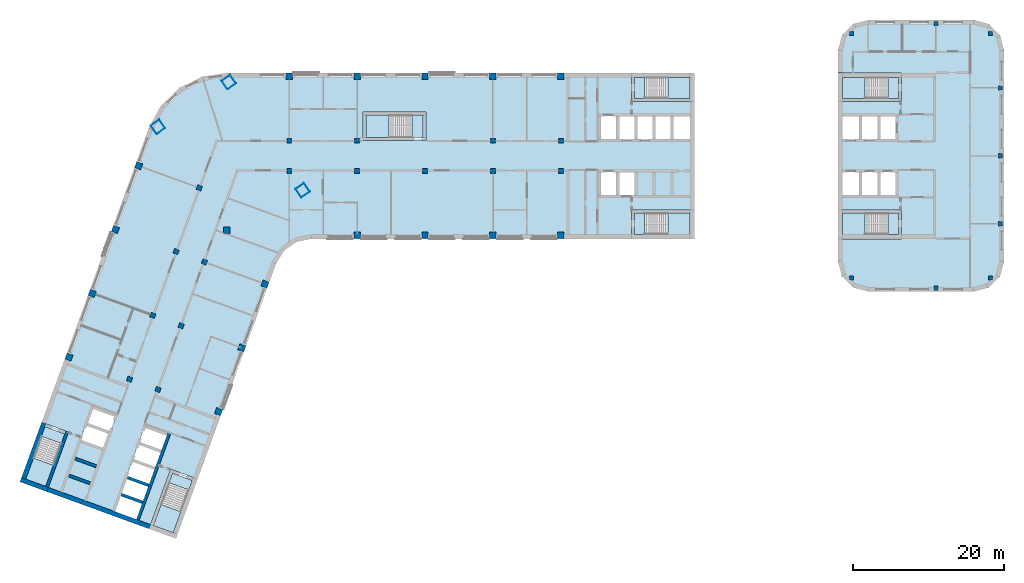
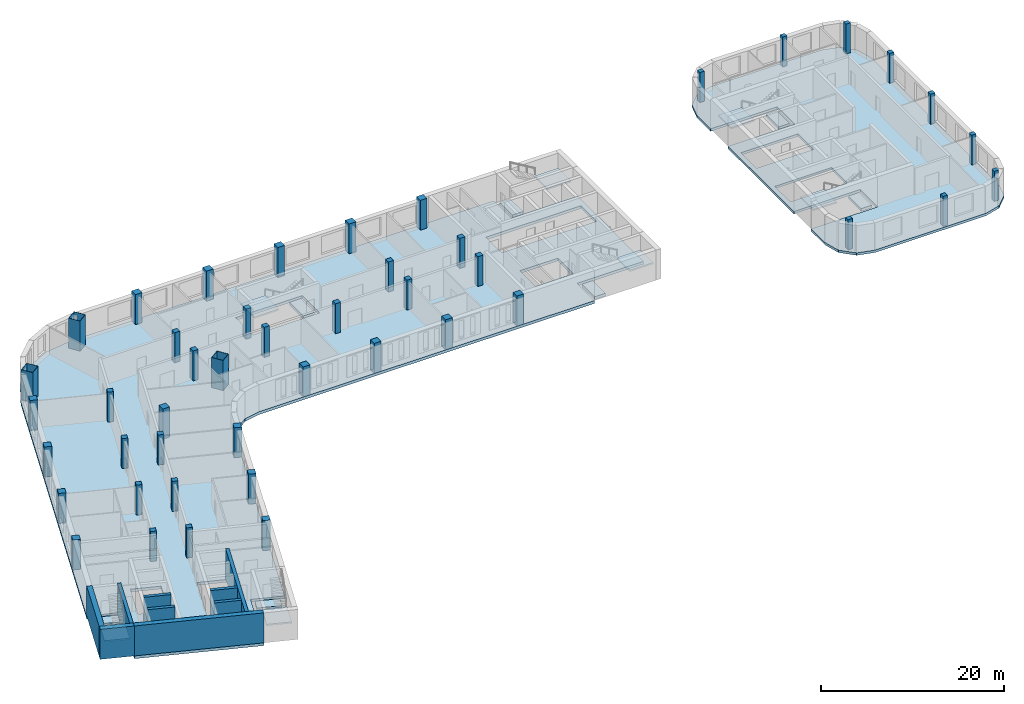
# One storey, part 1 of 10: 45 columns, 16 slabs, 9 walls, 7 elements without a shape of their own.
"""IFC4 building model written with IfcOpenShell, lengths in metres."""

import ifcopenshell
import ifcopenshell.guid

model = None  # the IFC model being written
_history = None  # IfcOwnerHistory: only IFC2X3 demands one
_inside = {}  # id of a spatial element -> (the spatial element, [elements in it])
_under = {}  # id of a project, library or spatial element -> (it, [spatial elements below it])
_declared = {}  # id of a project -> (the project, [libraries it declares])
_typed = {}  # id of a type object -> (the type object, [elements of that type])
_made_of = {}  # id of a material, layer set ... -> (it, [elements and type objects made of it])


def new_model(schema):
    """Start an empty IFC model of exactly this schema.

    Asked for "IFC4X3", IfcOpenShell would pick the latest addendum, in which some entities
    have other attributes; the version numbers below select the first issue.
    IFC2X3 requires an IfcOwnerHistory on every rooted entity: one is made here for all.
    """
    global model, _history
    if schema == "IFC4X3":
        model = ifcopenshell.file(schema_version=(4, 3, 0, 0))
    else:
        model = ifcopenshell.file(schema=schema)
    _inside.clear()
    _under.clear()
    _declared.clear()
    _typed.clear()
    _made_of.clear()
    _history = None
    if model.schema == "IFC2X3":
        org = make("IfcOrganization", Name="unknown")
        user = make(
            "IfcPersonAndOrganization",
            ThePerson=make("IfcPerson", FamilyName="unknown"),
            TheOrganization=org,
        )
        app = make(
            "IfcApplication",
            ApplicationDeveloper=org,
            Version="unknown",
            ApplicationFullName="unknown",
            ApplicationIdentifier="unknown",
        )
        _history = make(
            "IfcOwnerHistory",
            OwningUser=user,
            OwningApplication=app,
            ChangeAction="ADDED",
            CreationDate=0,
        )
    return model


def make(cls, **values):
    """One entity of the class cls with the attributes given. An attribute that is None is left unset."""
    return model.create_entity(
        cls, **{name: value for name, value in values.items() if value is not None}
    )


def rooted(cls, **values):
    """An entity with a GlobalId (a new one), such as an element, a storey or a relation."""
    return make(cls, GlobalId=ifcopenshell.guid.new(), OwnerHistory=_history, **values)


def si_unit(unit_type, name, prefix=None):
    """IfcSIUnit, for example si_unit("LENGTHUNIT", "METRE", prefix="MILLI")."""
    return make("IfcSIUnit", UnitType=unit_type, Prefix=prefix, Name=name)


def assignment(units):
    """IfcUnitAssignment: the units of a project."""
    return None if units is None else make("IfcUnitAssignment", Units=units)


def point(xyz):
    """IfcCartesianPoint."""
    return None if xyz is None else make("IfcCartesianPoint", Coordinates=xyz)


def direction(xyz):
    """IfcDirection."""
    return None if xyz is None else make("IfcDirection", DirectionRatios=xyz)


def frame(location, z_axis=None, x_axis=None):
    """IfcAxis2Placement3D, a coordinate frame: its origin and axes. An axis left out is left unset."""
    return make(
        "IfcAxis2Placement3D",
        Location=point(location),
        Axis=direction(z_axis),
        RefDirection=direction(x_axis),
    )


def frame_2d(location, x_axis=None):
    """IfcAxis2Placement2D, a coordinate frame in the plane: its origin and x axis."""
    return make(
        "IfcAxis2Placement2D", Location=point(location), RefDirection=direction(x_axis)
    )


def origin():
    """The frame at (0, 0, 0) with its axes left unset."""
    return frame((0.0, 0.0, 0.0))


def origin_2d():
    """The frame at (0, 0) in the plane with its x axis left unset."""
    return frame_2d((0.0, 0.0))


def place(relative_to, where):
    """IfcLocalPlacement: puts the frame where relative to a parent placement (None: the world)."""
    return make(
        "IfcLocalPlacement", PlacementRelTo=relative_to, RelativePlacement=where
    )


def context(
    kind, dimensions, precision=None, world=None, true_north=None, identifier=None
):
    """IfcGeometricRepresentationContext, for example the 3D "Model" context."""
    return make(
        "IfcGeometricRepresentationContext",
        ContextIdentifier=identifier,
        ContextType=kind,
        CoordinateSpaceDimension=dimensions,
        Precision=precision,
        WorldCoordinateSystem=world,
        TrueNorth=true_north,
    )


def subcontext(parent, identifier, kind, view, scale=None):
    """IfcGeometricRepresentationSubContext, for example "Body" below "Model"."""
    return make(
        "IfcGeometricRepresentationSubContext",
        ContextIdentifier=identifier,
        ContextType=kind,
        ParentContext=parent,
        TargetScale=scale,
        TargetView=view,
    )


def project(units=None, contexts=None):
    """IfcProject with its units and contexts."""
    return rooted(
        "IfcProject",
        Name="project",
        RepresentationContexts=contexts,
        UnitsInContext=assignment(units),
    )


def spatial(cls, under=None, at=None, **own):
    """A site, building, storey or space (cls), placed at a placement, below another one or the project."""
    s = rooted(cls, ObjectPlacement=at, **own)
    if under is not None:
        _under.setdefault(under.id(), (under, []))[1].append(s)
    return s


def polyline(points):
    """IfcPolyline through the points."""
    return make("IfcPolyline", Points=[point(p) for p in points])


def profile(cls, at=None, kind="AREA", **sizes):
    """A parametric profile (cls). Its sizes go by their IFC names, for example OverallWidth=200.0."""
    return make(cls, ProfileType=kind, Position=at, **sizes)


def rectangle(**sizes):
    """IfcRectangleProfileDef."""
    return profile("IfcRectangleProfileDef", **sizes)


def hollow_rectangle(**sizes):
    """IfcRectangleHollowProfileDef."""
    return profile("IfcRectangleHollowProfileDef", **sizes)


def outline(outer, holes=None, kind="AREA"):
    """IfcArbitraryClosedProfileDef: a profile drawn as a closed curve; with holes, ...WithVoids."""
    if holes is None:
        return make("IfcArbitraryClosedProfileDef", ProfileType=kind, OuterCurve=outer)
    return make(
        "IfcArbitraryProfileDefWithVoids",
        ProfileType=kind,
        OuterCurve=outer,
        InnerCurves=holes,
    )


def extrude(swept, where, along, depth):
    """IfcExtrudedAreaSolid: the profile swept, set in the frame where, extruded along a direction by depth."""
    return make(
        "IfcExtrudedAreaSolid",
        SweptArea=swept,
        Position=where,
        ExtrudedDirection=direction(along),
        Depth=depth,
    )


def shape(context_of_items, identifier, shape_type, items):
    """IfcShapeRepresentation: the items that make up one representation, for example the "Body"."""
    return make(
        "IfcShapeRepresentation",
        ContextOfItems=context_of_items,
        RepresentationIdentifier=identifier,
        RepresentationType=shape_type,
        Items=items,
    )


def material(Name=None, Category=None):
    """IfcMaterial."""
    return make("IfcMaterial", Name=Name, Category=Category)


def layer(
    of_material, thickness, ventilated=None, Name=None, Category=None, Priority=None
):
    """IfcMaterialLayer: one layer of a wall or slab, of a material (None: an air gap)."""
    return make(
        "IfcMaterialLayer",
        Material=of_material,
        LayerThickness=thickness,
        IsVentilated=ventilated,
        Name=Name,
        Category=Category,
        Priority=Priority,
    )


def layer_set(layers, Name=None):
    """IfcMaterialLayerSet."""
    return make("IfcMaterialLayerSet", MaterialLayers=layers, LayerSetName=Name)


def material_profile(
    of_material, cross_section, Name=None, Category=None, Priority=None
):
    """IfcMaterialProfile: a cross section and its material."""
    return make(
        "IfcMaterialProfile",
        Name=Name,
        Material=of_material,
        Profile=cross_section,
        Priority=Priority,
        Category=Category,
    )


def profile_set(profiles, Name=None, composite=None):
    """IfcMaterialProfileSet."""
    return make(
        "IfcMaterialProfileSet",
        Name=Name,
        MaterialProfiles=profiles,
        CompositeProfile=composite,
    )


def made_of(thing, what):
    """Note that an element or type object is made of a material, layer set ...; save() writes the relation."""
    if what is not None:
        _made_of.setdefault(what.id(), (what, []))[1].append(thing)
    return thing


def type_object(cls, material=None, **own):
    """A type object (cls), such as IfcWallType, which elements share."""
    return made_of(rooted(cls, **own), material)


def element(
    cls,
    number,
    at=None,
    inside=None,
    cuts=None,
    type_object=None,
    material=None,
    context=None,
    identifier="Body",
    shape_type=None,
    held_by="IfcProductDefinitionShape",
    body=None,
    shapes=None,
    **own,
):
    """One element of the class cls, such as IfcWall. Its Tag is "e" and its number.

    at: its placement. inside: the storey or other place that contains it. cuts: it is an
    opening in that element (IfcRelVoidsElement). A single representation is given by context,
    identifier, shape_type and body (its items); several are given by shapes. held_by: the class
    of the entity that holds the representations. save() writes the other relations.
    """
    e = rooted(cls, Tag="e%d" % number, ObjectPlacement=at, **own)
    if body is not None:
        shapes = [shape(context, identifier, shape_type, body)]
    if shapes is not None:
        e.Representation = make(held_by, Representations=shapes)
    if inside is not None:
        _inside.setdefault(inside.id(), (inside, []))[1].append(e)
    if cuts is not None:
        rooted(
            "IfcRelVoidsElement", RelatingBuildingElement=cuts, RelatedOpeningElement=e
        )
    if type_object is not None:
        _typed.setdefault(type_object.id(), (type_object, []))[1].append(e)
    return made_of(e, material)


def aggregate(whole, parts):
    """IfcRelAggregates: a whole, such as a stair, and the parts it consists of."""
    return rooted("IfcRelAggregates", RelatingObject=whole, RelatedObjects=parts)


def save(model, path):
    """Write the relations noted so far, then the file.

    IfcRelAggregates (storeys below a building ...), IfcRelContainedInSpatialStructure (elements
    in a storey), IfcRelDefinesByType, IfcRelAssociatesMaterial and IfcRelDeclares: one each for
    every whole, place, type object, material and project.
    """
    for whole, parts in _under.values():
        aggregate(whole, parts)
    for where, things in _inside.values():
        rooted(
            "IfcRelContainedInSpatialStructure",
            RelatedElements=things,
            RelatingStructure=where,
        )
    for kind, things in _typed.values():
        rooted("IfcRelDefinesByType", RelatedObjects=things, RelatingType=kind)
    for what, things in _made_of.values():
        rooted("IfcRelAssociatesMaterial", RelatedObjects=things, RelatingMaterial=what)
    for by, libraries in _declared.values():
        rooted("IfcRelDeclares", RelatingContext=by, RelatedDefinitions=libraries)
    model.write(path)


model = new_model("IFC4")

# Units and contexts
model_context = context("Model", 3, precision=1e-05, world=origin(), true_north=direction((0.0, 1.0)))
body_context = subcontext(model_context, "Body", "Model", "MODEL_VIEW")
ifc_project = project(units=[si_unit("LENGTHUNIT", "METRE"), si_unit("AREAUNIT", "SQUARE_METRE"), si_unit("VOLUMEUNIT", "CUBIC_METRE"), si_unit("PLANEANGLEUNIT", "RADIAN"), si_unit("MASSUNIT", "GRAM", prefix="KILO")], contexts=[model_context])

# Site, building, storey
site_placement = place(None, origin())
site = spatial("IfcSite", under=ifc_project, at=site_placement, CompositionType="ELEMENT")
building_placement = place(site_placement, origin())
building = spatial("IfcBuilding", under=site, at=building_placement, Name="Skarvind Civic Tower", CompositionType="ELEMENT")
storey_placement = place(building_placement, frame((0.0, 0.0, 97.0)))
storey = spatial("IfcBuildingStorey", under=building, at=storey_placement, Name="L22", CompositionType="ELEMENT", Elevation=97.0)

# Columns
ifc_material_1 = material(Name="Concrete C60", Category="concrete")
ifc_material_profile_1 = material_profile(ifc_material_1, rectangle(XDim=0.550048828125, YDim=0.550048828125, at=origin_2d()), Name="RC-550x550")
ifc_profile_set_1 = profile_set([ifc_material_profile_1], Name="Concrete C60")
column_type_1 = type_object("IfcColumnType", Name="Column RC-550x550 C60", PredefinedType="COLUMN", material=ifc_profile_set_1)
for number, where, z_axis, x_axis, name in (
    (1, (128.777099609375, 144.222900390625, 0.0), (0.0, 0.0, 1.0), (1.0, 0.0, 0.0), "Column second tower north-west corner L22"),
    (2, (128.777099609375, 111.777099609375, 0.0), (0.0, 0.0, 1.0), (1.0, 0.0, 0.0), "Column second tower south-west corner L22"),
    (3, (148.550048828125, 119.0, 0.0), (0.0, 0.0, 1.0), (1.0, 0.0, 0.0), "Column second tower middle line 01 L22"),
    (4, (148.550048828125, 128.0, 0.0), (0.0, 0.0, 1.0), (1.0, 0.0, 0.0), "Column second tower middle line 02 L22"),
    (5, (148.550048828125, 137.0, 0.0), (0.0, 0.0, 1.0), (1.0, 0.0, 0.0), "Column second tower middle line 03 L22"),
    (6, (140.0, 145.550048828125, 0.0), (0.0, 0.0, 1.0), (1.0, 0.0, 0.0), "Column second tower north perimeter 02 L22"),
    (7, (147.222900390625, 144.222900390625, 0.0), (0.0, 0.0, 1.0), (1.0, 0.0, 0.0), "Column second tower north perimeter 03 L22"),
    (8, (140.0, 110.449951171875, 0.0), (0.0, 0.0, 1.0), (1.0, 0.0, 0.0), "Column second tower south perimeter 02 L22"),
    (9, (147.222900390625, 111.777099609375, 0.0), (0.0, 0.0, 1.0), (1.0, 0.0, 0.0), "Column second tower south perimeter 03 L22"),
):
    element("IfcColumn", number, at=place(storey_placement, frame(where, z_axis=z_axis, x_axis=x_axis)), inside=storey, type_object=column_type_1, Name=name, PredefinedType="COLUMN", context=body_context, shape_type="SweptSolid", body=[
        extrude(rectangle(XDim=0.550048828125, YDim=0.550048828125, at=origin_2d()), origin(), (0.0, 0.0, 1.0), 4.0),
    ])
ifc_material_profile_2 = material_profile(ifc_material_1, rectangle(XDim=0.64990234375, YDim=0.64990234375, at=origin_2d()), Name="RC-650x650")
ifc_profile_set_2 = profile_set([ifc_material_profile_2], Name="Concrete C60")
column_type_2 = type_object("IfcColumnType", Name="Column RC-650x650 C60", PredefinedType="COLUMN", material=ifc_profile_set_2)
for number, where, z_axis, x_axis, name in (
    (10, (54.25, 130.0, 0.0), (0.0, 0.0, 1.0), (1.0, 0.0, 0.0), "Column wing 1 north inner 02 L22"),
    (11, (63.25, 130.0, 0.0), (0.0, 0.0, 1.0), (1.0, 0.0, 0.0), "Column wing 1 north inner 03 L22"),
    (12, (81.25, 130.0, 0.0), (0.0, 0.0, 1.0), (1.0, 0.0, 0.0), "Column wing 1 north inner 05 L22"),
    (13, (90.25, 130.0, 0.0), (0.0, 0.0, 1.0), (1.0, 0.0, 0.0), "Column wing 1 north inner 06 L22"),
    (14, (54.25, 126.0, 0.0), (0.0, 0.0, 1.0), (1.0, 0.0, 0.0), "Column wing 1 south inner 02 L22"),
    (15, (63.25, 126.0, 0.0), (0.0, 0.0, 1.0), (1.0, 0.0, 0.0), "Column wing 1 south inner 03 L22"),
    (16, (72.25, 126.0, 0.0), (0.0, 0.0, 1.0), (1.0, 0.0, 0.0), "Column wing 1 south inner 04 L22"),
    (17, (81.25, 126.0, 0.0), (0.0, 0.0, 1.0), (1.0, 0.0, 0.0), "Column wing 1 south inner 05 L22"),
    (18, (90.25, 126.0, 0.0), (0.0, 0.0, 1.0), (1.0, 0.0, 0.0), "Column wing 1 south inner 06 L22"),
    (19, (43.005615234375, 113.92529296875, 0.0), (0.0, 0.0, 1.0), (-0.342020143326, -0.939692620786, 0.0), "Column wing 2 left inner 02 L22"),
    (20, (39.927490234375, 105.468017578125, 0.0), (0.0, 0.0, 1.0), (-0.342020143326, -0.939692620786, 0.0), "Column wing 2 left inner 03 L22"),
    (21, (36.84912109375, 97.010986328125, 0.0), (0.0, 0.0, 1.0), (-0.342020143326, -0.939692620786, 0.0), "Column wing 2 left inner 04 L22"),
    (22, (42.324951171875, 123.750732421875, 0.0), (0.0, 0.0, 1.0), (-0.342020143326, -0.939692620786, 0.0), "Column wing 2 right inner 01 L22"),
    (23, (39.246826171875, 115.29345703125, 0.0), (0.0, 0.0, 1.0), (-0.342020143326, -0.939692620786, 0.0), "Column wing 2 right inner 02 L22"),
    (24, (36.168701171875, 106.836181640625, 0.0), (0.0, 0.0, 1.0), (-0.342020143326, -0.939692620786, 0.0), "Column wing 2 right inner 03 L22"),
    (25, (33.090576171875, 98.37890625, 0.0), (0.0, 0.0, 1.0), (-0.342020143326, -0.939692620786, 0.0), "Column wing 2 right inner 04 L22"),
):
    element("IfcColumn", number, at=place(storey_placement, frame(where, z_axis=z_axis, x_axis=x_axis)), inside=storey, type_object=column_type_2, Name=name, PredefinedType="COLUMN", context=body_context, shape_type="SweptSolid", body=[
        extrude(rectangle(XDim=0.64990234375, YDim=0.64990234375, at=origin_2d()), origin(), (0.0, 0.0, 1.0), 4.0),
    ])
ifc_material_2 = material(Name="Concrete C80", Category="concrete")
ifc_material_profile_3 = material_profile(ifc_material_2, rectangle(XDim=0.85009765625, YDim=0.85009765625, at=origin_2d()), Name="RC-850x850")
ifc_profile_set_3 = profile_set([ifc_material_profile_3], Name="Concrete C80")
column_type_3 = type_object("IfcColumnType", Name="Column RC-850x850 C80", PredefinedType="COLUMN", material=ifc_profile_set_3)
for number, where, z_axis, x_axis, name in (
    (26, (54.25, 138.550048828125, 0.0), (0.0, 0.0, 1.0), (1.0, 0.0, 0.0), "Column wing 1 north perimeter 02 L22"),
    (27, (63.25, 138.550048828125, 0.0), (0.0, 0.0, 1.0), (1.0, 0.0, 0.0), "Column wing 1 north perimeter 03 L22"),
    (28, (72.25, 138.550048828125, 0.0), (0.0, 0.0, 1.0), (1.0, 0.0, 0.0), "Column wing 1 north perimeter 04 L22"),
    (29, (81.25, 138.550048828125, 0.0), (0.0, 0.0, 1.0), (1.0, 0.0, 0.0), "Column wing 1 north perimeter 05 L22"),
    (30, (90.25, 138.550048828125, 0.0), (0.0, 0.0, 1.0), (1.0, 0.0, 0.0), "Column wing 1 north perimeter 06 L22"),
    (31, (45.95166015625, 118.151611328125, 0.0), (0.0, 0.0, 1.0), (1.0, 0.0, 0.0), "Column wing 1 south perimeter 01 L22"),
    (32, (63.25, 117.449951171875, 0.0), (0.0, 0.0, 1.0), (1.0, 0.0, 0.0), "Column wing 1 south perimeter 03 L22"),
    (33, (72.25, 117.449951171875, 0.0), (0.0, 0.0, 1.0), (1.0, 0.0, 0.0), "Column wing 1 south perimeter 04 L22"),
    (34, (81.25, 117.449951171875, 0.0), (0.0, 0.0, 1.0), (1.0, 0.0, 0.0), "Column wing 1 south perimeter 05 L22"),
    (35, (90.25, 117.449951171875, 0.0), (0.0, 0.0, 1.0), (1.0, 0.0, 0.0), "Column wing 1 south perimeter 06 L22"),
    (36, (51.0400390625, 111.0009765625, 0.0), (0.0, 0.0, 1.0), (-0.342020143326, -0.939692620786, 0.0), "Column wing 2 left perimeter 02 L22"),
    (37, (47.961669921875, 102.5439453125, 0.0), (0.0, 0.0, 1.0), (-0.342020143326, -0.939692620786, 0.0), "Column wing 2 left perimeter 03 L22"),
    (38, (44.883544921875, 94.086669921875, 0.0), (0.0, 0.0, 1.0), (-0.342020143326, -0.939692620786, 0.0), "Column wing 2 left perimeter 04 L22"),
    (39, (34.29052734375, 126.6748046875, 0.0), (0.0, 0.0, 1.0), (-0.342020143326, -0.939692620786, 0.0), "Column wing 2 right perimeter 01 L22"),
    (40, (31.21240234375, 118.2177734375, 0.0), (0.0, 0.0, 1.0), (-0.342020143326, -0.939692620786, 0.0), "Column wing 2 right perimeter 02 L22"),
    (41, (28.13427734375, 109.760498046875, 0.0), (0.0, 0.0, 1.0), (-0.342020143326, -0.939692620786, 0.0), "Column wing 2 right perimeter 03 L22"),
    (42, (25.05615234375, 101.30322265625, 0.0), (0.0, 0.0, 1.0), (-0.342020143326, -0.939692620786, 0.0), "Column wing 2 right perimeter 04 L22"),
):
    element("IfcColumn", number, at=place(storey_placement, frame(where, z_axis=z_axis, x_axis=x_axis)), inside=storey, type_object=column_type_3, Name=name, PredefinedType="COLUMN", context=body_context, shape_type="SweptSolid", body=[
        extrude(rectangle(XDim=0.85009765625, YDim=0.85009765625, at=origin_2d()), origin(), (0.0, 0.0, 1.0), 4.0),
    ])
ifc_material_3 = material(Name="Composite concrete-filled steel tube, Steel SM355 with Concrete C80", Category="concrete")
ifc_material_profile_4 = material_profile(ifc_material_3, hollow_rectangle(XDim=1.39990234375, YDim=1.39990234375, WallThickness=0.0400390625, at=origin_2d()), Name="BOX-1400x1400x40")
ifc_profile_set_4 = profile_set([ifc_material_profile_4], Name="Composite concrete-filled steel tube, Steel SM355 with Concrete C80")
column_type_4 = type_object("IfcColumnType", Name="Mega column BOX-1400x1400x40 filled C80", PredefinedType="COLUMN", material=ifc_profile_set_4)
for number, where, z_axis, x_axis, name in (
    (43, (36.845947265625, 131.837646484375, 0.0), (0.0, 0.0, 1.0), (0.573576436351, -0.819152044289, 0.0), "Mega column 1 L22"),
    (44, (46.2470703125, 137.762451171875, 0.0), (0.0, 0.0, 1.0), (0.573576436351, -0.819152044289, 0.0), "Mega column 2 L22"),
    (45, (56.0361328125, 123.43017578125, 0.0), (0.0, 0.0, 1.0), (0.573576436351, -0.819152044289, 0.0), "Mega column 4 L22"),
):
    element("IfcColumn", number, at=place(storey_placement, frame(where, z_axis=z_axis, x_axis=x_axis)), inside=storey, type_object=column_type_4, Name=name, PredefinedType="COLUMN", context=body_context, shape_type="SweptSolid", body=[
        extrude(hollow_rectangle(XDim=1.39990234375, YDim=1.39990234375, WallThickness=0.0400390625, at=origin_2d()), origin(), (0.0, 0.0, 1.0), 4.0),
    ])

# Slabs
ifc_material_4 = material(Name="Concrete C50", Category="concrete")
ifc_layer_1 = layer(ifc_material_4, 0.375)
ifc_layer_set_1 = layer_set([ifc_layer_1], Name="Floor slab 375 C50")
slab_type_1 = type_object("IfcSlabType", Name="Floor slab 375 C50", PredefinedType="FLOOR", material=ifc_layer_set_1)
slab_1_placement = place(storey_placement, frame((0.0, 0.0, -0.375)))
element("IfcSlab", 46, at=slab_1_placement, inside=storey, type_object=slab_type_1, Name="Floor slab L22 1", PredefinedType="FLOOR", context=body_context, shape_type="SweptSolid", body=[
    extrude(outline(polyline([(99.60009765625, 117.0), (99.60009765625, 120.800048828125), (108.0, 120.800048828125), (108.0, 135.199951171875), (99.60009765625, 135.199951171875), (99.60009765625, 139.0), (46.095458984375, 139.0), (42.739501953125, 138.5009765625), (39.6943359375, 137.005615234375), (37.24755859375, 134.6552734375), (35.630615234375, 131.672607421875), (19.41748046875, 87.126708984375), (21.435302734375, 92.6708984375), (25.006103515625, 91.371337890625), (22.13330078125, 83.477783203125), (36.886474609375, 78.108154296875), (35.664794921875, 78.552734375), (38.53759765625, 86.4462890625), (42.108642578125, 85.146484375), (40.0908203125, 79.602294921875), (40.0908203125, 79.602294921875), (52.493896484375, 113.68017578125), (53.560791015625, 115.421630859375), (55.23388671875, 116.593017578125), (57.235107421875, 117.0), (99.60009765625, 117.0)]), holes=[polyline([(32.625244140625, 85.40576171875), (33.446044921875, 87.660888671875), (34.26708984375, 89.916259765625), (35.087890625, 92.17138671875), (38.28271484375, 91.008544921875), (37.4619140625, 88.75341796875), (36.64111328125, 86.498046875), (35.8203125, 84.242919921875), (35.8203125, 84.242919921875), (34.99951171875, 81.987548828125), (34.178466796875, 79.732421875), (30.983642578125, 80.89501953125), (31.804443359375, 83.150390625), (32.625244140625, 85.40576171875), (32.625244140625, 85.40576171875)]), polyline([(31.3291015625, 93.53955078125), (30.50830078125, 91.2841796875), (29.6875, 89.029052734375), (26.492431640625, 90.19189453125), (27.313232421875, 92.447021484375), (28.134033203125, 94.702392578125), (31.3291015625, 93.53955078125)]), polyline([(64.0, 130.0), (64.0, 133.800048828125), (72.39990234375, 133.800048828125), (72.39990234375, 130.0), (64.0, 130.0)]), polyline([(100.199951171875, 126.0), (100.199951171875, 122.60009765625), (97.800048828125, 122.60009765625), (95.39990234375, 122.60009765625), (95.39990234375, 126.0), (97.800048828125, 126.0), (100.199951171875, 126.0)]), polyline([(100.199951171875, 133.39990234375), (102.60009765625, 133.39990234375), (105.0, 133.39990234375), (107.39990234375, 133.39990234375), (107.39990234375, 130.0), (105.0, 130.0), (102.60009765625, 130.0), (100.199951171875, 130.0), (97.800048828125, 130.0), (95.39990234375, 130.0), (95.39990234375, 133.39990234375), (97.800048828125, 133.39990234375), (100.199951171875, 133.39990234375)])]), origin(), (0.0, 0.0, 1.0), 0.375),
])
ifc_layer_2 = layer(ifc_material_4, 0.324951171875)
ifc_layer_set_2 = layer_set([ifc_layer_2], Name="Second tower floor slab 325 C50")
slab_type_2 = type_object("IfcSlabType", Name="Second tower floor slab 325 C50", PredefinedType="FLOOR", material=ifc_layer_set_2)
slab_2_placement = place(storey_placement, frame((0.0, 0.0, -0.324951171875)))
element("IfcSlab", 47, at=slab_2_placement, inside=storey, type_object=slab_type_2, Name="Floor slab L22 1", PredefinedType="FLOOR", context=body_context, shape_type="SweptSolid", body=[
    extrude(outline(polyline([(127.0, 139.0), (135.39990234375, 139.0), (135.39990234375, 135.199951171875), (127.0, 135.199951171875), (127.0, 120.800048828125), (135.39990234375, 120.800048828125), (135.39990234375, 117.0), (127.0, 117.0), (127.0, 114.0), (127.535888671875, 112.0), (129.0, 110.535888671875), (131.0, 110.0), (145.0, 110.0), (147.0, 110.535888671875), (148.464111328125, 112.0), (149.0, 114.0), (149.0, 142.0), (148.464111328125, 144.0), (147.0, 145.464111328125), (145.0, 146.0), (131.0, 146.0), (129.0, 145.464111328125), (127.535888671875, 144.0), (127.0, 142.0), (127.0, 139.0)]), holes=[polyline([(132.39990234375, 126.0), (134.800048828125, 126.0), (134.800048828125, 122.60009765625), (132.39990234375, 122.60009765625), (130.0, 122.60009765625), (127.60009765625, 122.60009765625), (127.60009765625, 126.0), (130.0, 126.0), (132.39990234375, 126.0)]), polyline([(130.0, 133.39990234375), (132.39990234375, 133.39990234375), (134.800048828125, 133.39990234375), (134.800048828125, 130.0), (132.39990234375, 130.0), (130.0, 130.0), (127.60009765625, 130.0), (127.60009765625, 133.39990234375), (130.0, 133.39990234375)])]), origin(), (0.0, 0.0, 1.0), 0.324951171875),
])
ifc_material_5 = material(Name="Concrete C40/50", Category="concrete")
ifc_layer_3 = layer(ifc_material_5, 0.375)
ifc_layer_set_3 = layer_set([ifc_layer_3], Name="Stair floor landing slab 375")
slab_type_3 = type_object("IfcSlabType", Name="Stair floor landing slab 375", PredefinedType="LANDING", material=ifc_layer_set_3)
slab_3_placement = place(storey_placement, frame((0.0, 0.0, -0.375)))
element("IfcSlab", 48, at=slab_3_placement, inside=storey, type_object=slab_type_3, Name="Stair floor landing", PredefinedType="LANDING", context=body_context, shape_type="SweptSolid", body=[
    extrude(outline(polyline([(101.3505859375, 138.400634765625), (101.3505859375, 135.599365234375), (99.99951171875, 135.599365234375), (99.99951171875, 138.400634765625), (101.3505859375, 138.400634765625)])), origin(), (0.0, 0.0, 1.0), 0.375),
])
slab_4_placement = place(storey_placement, frame((0.0, 0.0, -0.375)))
element("IfcSlab", 49, at=slab_4_placement, inside=storey, type_object=slab_type_3, Name="Stair floor landing", PredefinedType="LANDING", context=body_context, shape_type="SweptSolid", body=[
    extrude(outline(polyline([(101.3505859375, 120.400634765625), (101.3505859375, 117.599365234375), (99.99951171875, 117.599365234375), (99.99951171875, 120.400634765625), (101.3505859375, 120.400634765625)])), origin(), (0.0, 0.0, 1.0), 0.375),
])
slab_5_placement = place(storey_placement, frame((0.0, 0.0, -0.375)))
element("IfcSlab", 50, at=slab_5_placement, inside=storey, type_object=slab_type_3, Name="Stair floor landing", PredefinedType="LANDING", context=body_context, shape_type="SweptSolid", body=[
    extrude(outline(polyline([(40.946533203125, 83.70654296875), (38.314208984375, 84.66455078125), (38.7763671875, 85.934326171875), (41.40869140625, 84.976318359375), (40.946533203125, 83.70654296875)])), origin(), (0.0, 0.0, 1.0), 0.375),
])
slab_6_placement = place(storey_placement, frame((0.0, 0.0, -0.375)))
element("IfcSlab", 51, at=slab_6_placement, inside=storey, type_object=slab_type_3, Name="Stair floor landing", PredefinedType="LANDING", context=body_context, shape_type="SweptSolid", body=[
    extrude(outline(polyline([(24.0322265625, 89.863037109375), (21.39990234375, 90.821044921875), (21.862060546875, 92.090576171875), (24.494384765625, 91.132568359375), (24.0322265625, 89.863037109375)])), origin(), (0.0, 0.0, 1.0), 0.375),
])
slab_7_placement = place(storey_placement, frame((0.0, 0.0, -0.375)))
element("IfcSlab", 52, at=slab_7_placement, inside=storey, type_object=slab_type_3, Name="Stair floor landing", PredefinedType="LANDING", context=body_context, shape_type="SweptSolid", body=[
    extrude(outline(polyline([(133.6494140625, 117.599365234375), (133.6494140625, 120.400634765625), (135.00048828125, 120.400634765625), (135.00048828125, 117.599365234375), (133.6494140625, 117.599365234375)])), origin(), (0.0, 0.0, 1.0), 0.375),
])
slab_8_placement = place(storey_placement, frame((0.0, 0.0, -0.375)))
element("IfcSlab", 53, at=slab_8_placement, inside=storey, type_object=slab_type_3, Name="Stair floor landing", PredefinedType="LANDING", context=body_context, shape_type="SweptSolid", body=[
    extrude(outline(polyline([(133.6494140625, 135.599365234375), (133.6494140625, 138.400634765625), (135.00048828125, 138.400634765625), (135.00048828125, 135.599365234375), (133.6494140625, 135.599365234375)])), origin(), (0.0, 0.0, 1.0), 0.375),
])
slab_9_placement = place(storey_placement, frame((0.0, 0.0, -0.375)))
element("IfcSlab", 54, at=slab_9_placement, inside=storey, type_object=slab_type_3, Name="Stair floor landing", PredefinedType="LANDING", context=body_context, shape_type="SweptSolid", body=[
    extrude(outline(polyline([(70.54931640625, 130.3994140625), (70.54931640625, 133.400634765625), (72.00048828125, 133.400634765625), (72.00048828125, 130.3994140625), (70.54931640625, 130.3994140625)])), origin(), (0.0, 0.0, 1.0), 0.375),
])

# Stair, slab
stair_type_1 = type_object("IfcStairType", Name="Exit stair, half-turn, concrete", PredefinedType="HALF_TURN_STAIR", material=ifc_material_5)
stair_1_placement = place(storey_placement, origin())
stair_1 = element("IfcStair", 55, at=stair_1_placement, inside=storey, type_object=stair_type_1, Name="Exit stair C1S", PredefinedType="HALF_TURN_STAIR")
ifc_layer_4 = layer(ifc_material_5, 0.199951171875)
ifc_layer_set_4 = layer_set([ifc_layer_4], Name="Stair half landing slab")
slab_type_4 = type_object("IfcSlabType", Name="Stair half landing slab", PredefinedType="LANDING", material=ifc_layer_set_4)
slab_10_placement = place(storey_placement, frame((0.0, 0.0, 1.800048828125)))
slab_10 = element("IfcSlab", 56, at=slab_10_placement, type_object=slab_type_4, Name="ST-C1S landing 1", PredefinedType="LANDING", context=body_context, shape_type="SweptSolid", body=[
    extrude(outline(polyline([(104.429443359375, 135.599365234375), (104.429443359375, 138.400634765625), (107.400634765625, 138.400634765625), (107.400634765625, 135.599365234375), (104.429443359375, 135.599365234375)])), origin(), (0.0, 0.0, 1.0), 0.199951171875),
])
aggregate(stair_1, [slab_10])

stair_2_placement = place(storey_placement, origin())
stair_2 = element("IfcStair", 57, at=stair_2_placement, inside=storey, type_object=stair_type_1, Name="Exit stair C1N", PredefinedType="HALF_TURN_STAIR")
slab_11_placement = place(storey_placement, frame((0.0, 0.0, 1.800048828125)))
slab_11 = element("IfcSlab", 58, at=slab_11_placement, type_object=slab_type_4, Name="ST-C1N landing 1", PredefinedType="LANDING", context=body_context, shape_type="SweptSolid", body=[
    extrude(outline(polyline([(104.429443359375, 117.599365234375), (104.429443359375, 120.400634765625), (107.400634765625, 120.400634765625), (107.400634765625, 117.599365234375), (104.429443359375, 117.599365234375)])), origin(), (0.0, 0.0, 1.0), 0.199951171875),
])
aggregate(stair_2, [slab_11])

stair_3_placement = place(storey_placement, origin())
stair_3 = element("IfcStair", 59, at=stair_3_placement, inside=storey, type_object=stair_type_1, Name="Exit stair C2S", PredefinedType="HALF_TURN_STAIR")
slab_12_placement = place(storey_placement, frame((0.0, 0.0, 1.800048828125)))
slab_12 = element("IfcSlab", 60, at=slab_12_placement, type_object=slab_type_4, Name="ST-C2S landing 1", PredefinedType="LANDING", context=body_context, shape_type="SweptSolid", body=[
    extrude(outline(polyline([(37.26123046875, 81.771484375), (39.8935546875, 80.8134765625), (38.87744140625, 78.021484375), (36.2451171875, 78.9794921875), (37.26123046875, 81.771484375)])), origin(), (0.0, 0.0, 1.0), 0.199951171875),
])
aggregate(stair_3, [slab_12])

stair_4_placement = place(storey_placement, origin())
stair_4 = element("IfcStair", 61, at=stair_4_placement, inside=storey, type_object=stair_type_1, Name="Exit stair C2N", PredefinedType="HALF_TURN_STAIR")
slab_13_placement = place(storey_placement, frame((0.0, 0.0, 1.800048828125)))
slab_13 = element("IfcSlab", 62, at=slab_13_placement, type_object=slab_type_4, Name="ST-C2N landing 1", PredefinedType="LANDING", context=body_context, shape_type="SweptSolid", body=[
    extrude(outline(polyline([(20.346923828125, 87.927734375), (22.97900390625, 86.9697265625), (21.962890625, 84.177734375), (19.33056640625, 85.1357421875), (20.346923828125, 87.927734375)])), origin(), (0.0, 0.0, 1.0), 0.199951171875),
])
aggregate(stair_4, [slab_13])

stair_5_placement = place(storey_placement, origin())
stair_5 = element("IfcStair", 63, at=stair_5_placement, inside=storey, type_object=stair_type_1, Name="Exit stair CAS", PredefinedType="HALF_TURN_STAIR")
slab_14_placement = place(storey_placement, frame((0.0, 0.0, 1.800048828125)))
slab_14 = element("IfcSlab", 64, at=slab_14_placement, type_object=slab_type_4, Name="ST-CAS landing 1", PredefinedType="LANDING", context=body_context, shape_type="SweptSolid", body=[
    extrude(outline(polyline([(130.570556640625, 120.400634765625), (130.570556640625, 117.599365234375), (127.599365234375, 117.599365234375), (127.599365234375, 120.400634765625), (130.570556640625, 120.400634765625)])), origin(), (0.0, 0.0, 1.0), 0.199951171875),
])
aggregate(stair_5, [slab_14])

stair_6_placement = place(storey_placement, origin())
stair_6 = element("IfcStair", 65, at=stair_6_placement, inside=storey, type_object=stair_type_1, Name="Exit stair CAN", PredefinedType="HALF_TURN_STAIR")
slab_15_placement = place(storey_placement, frame((0.0, 0.0, 1.800048828125)))
slab_15 = element("IfcSlab", 66, at=slab_15_placement, type_object=slab_type_4, Name="ST-CAN landing 1", PredefinedType="LANDING", context=body_context, shape_type="SweptSolid", body=[
    extrude(outline(polyline([(130.570556640625, 138.400634765625), (130.570556640625, 135.599365234375), (127.599365234375, 135.599365234375), (127.599365234375, 138.400634765625), (130.570556640625, 138.400634765625)])), origin(), (0.0, 0.0, 1.0), 0.199951171875),
])
aggregate(stair_6, [slab_15])

stair_type_2 = type_object("IfcStairType", Name="Exit stair 1450, half-turn, concrete", PredefinedType="HALF_TURN_STAIR", material=ifc_material_5)
stair_7_placement = place(storey_placement, origin())
stair_7 = element("IfcStair", 67, at=stair_7_placement, inside=storey, type_object=stair_type_2, Name="Exit stair CM", PredefinedType="HALF_TURN_STAIR")
slab_16_placement = place(storey_placement, frame((0.0, 0.0, 1.800048828125)))
slab_16 = element("IfcSlab", 68, at=slab_16_placement, type_object=slab_type_4, Name="ST-CM landing 1", PredefinedType="LANDING", context=body_context, shape_type="SweptSolid", body=[
    extrude(outline(polyline([(67.470703125, 133.400634765625), (67.470703125, 130.3994140625), (64.3994140625, 130.3994140625), (64.3994140625, 133.400634765625), (67.470703125, 133.400634765625)])), origin(), (0.0, 0.0, 1.0), 0.199951171875),
])
aggregate(stair_7, [slab_16])

# Walls
ifc_layer_5 = layer(ifc_material_2, 0.39990234375)
ifc_layer_set_5 = layer_set([ifc_layer_5], Name="Core wall 400 C80")
wall_type_1 = type_object("IfcWallType", Name="Core wall 400 C80", PredefinedType="SHEAR", material=ifc_layer_set_5)
wall_1_placement = place(storey_placement, frame((22.150390625, 84.110107421875, 0.0), z_axis=(0.0, 0.0, 1.0), x_axis=(0.342016982193, 0.939693771338, 0.0)))
element("IfcWall", 69, at=wall_1_placement, inside=storey, type_object=wall_type_1, Name="Core wall C2 north stair inner L22", PredefinedType="SHEAR", context=body_context, shape_type="SweptSolid", body=[
    extrude(rectangle(XDim=7.800048828125, YDim=0.39990234375, at=frame_2d((3.89990234375, 0.0))), origin(), (0.0, 0.0, 1.0), 4.0),
])
wall_2_placement = place(storey_placement, frame((34.178466796875, 79.732177734375, 0.0), z_axis=(0.0, 0.0, 1.0), x_axis=(0.342014590177, 0.939694641948, 0.0)))
element("IfcWall", 70, at=wall_2_placement, inside=storey, type_object=wall_type_1, Name="Core wall C2 south lift row back L22", PredefinedType="SHEAR", context=body_context, shape_type="SweptSolid", body=[
    extrude(rectangle(XDim=12.2001953125, YDim=0.39990234375, at=frame_2d((6.10009765625, 0.0))), origin(), (0.0, 0.0, 1.0), 4.0),
])
for number, where, z_axis, x_axis, name in (
    (71, (34.8115234375, 82.055908203125, 0.0), (0.0, 0.0, 1.0), (-0.939686455819, 0.342037080957, 0.0), "Core wall C2 south lift row division 1 L22"),
    (72, (35.63232421875, 84.311279296875, 0.0), (0.0, 0.0, 1.0), (-0.939712609717, 0.341965219194, 0.0), "Core wall C2 south lift row division 2 L22"),
    (73, (27.857666015625, 84.5869140625, 0.0), (0.0, 0.0, 1.0), (-0.939686455819, 0.342037080957, 0.0), "Core wall C2 north lift row division 1 L22"),
):
    element("IfcWall", number, at=place(storey_placement, frame(where, z_axis=z_axis, x_axis=x_axis)), inside=storey, type_object=wall_type_1, Name=name, PredefinedType="SHEAR", context=body_context, shape_type="SweptSolid", body=[
        extrude(rectangle(XDim=3.0, YDim=0.39990234375, at=frame_2d((1.5, 0.0))), origin(), (0.0, 0.0, 1.0), 4.0),
    ])
wall_3_placement = place(storey_placement, frame((28.678466796875, 86.842041015625, 0.0), z_axis=(0.0, 0.0, 1.0), x_axis=(-0.939676934218, 0.342063238742, 0.0)))
element("IfcWall", 74, at=wall_3_placement, inside=storey, type_object=wall_type_1, Name="Core wall C2 north lift row division 2 L22", PredefinedType="SHEAR", context=body_context, shape_type="SweptSolid", body=[
    extrude(rectangle(XDim=2.999755859375, YDim=0.39990234375, at=frame_2d((1.5, 0.0))), origin(), (0.0, 0.0, 1.0), 4.0),
])
ifc_layer_6 = layer(ifc_material_2, 0.60009765625)
ifc_layer_set_6 = layer_set([ifc_layer_6], Name="Core wall 600 C80")
wall_type_2 = type_object("IfcWallType", Name="Core wall 600 C80", PredefinedType="SHEAR", material=ifc_layer_set_6)
wall_4_placement = place(storey_placement, frame((35.767333984375, 78.834716796875, 0.0), z_axis=(0.0, 0.0, 1.0), x_axis=(-0.939692894512, 0.342019391267, 0.0)))
element("IfcWall", 75, at=wall_4_placement, inside=storey, type_object=wall_type_2, Name="Core wall C2 tip between the stairs L22", PredefinedType="SHEAR", context=body_context, shape_type="SweptSolid", body=[
    extrude(rectangle(XDim=14.39990234375, YDim=0.60009765625, at=frame_2d((7.199951171875, 0.0))), origin(), (0.0, 0.0, 1.0), 4.0),
])
wall_5_placement = place(storey_placement, frame((22.23583984375, 83.759765625, 0.0), z_axis=(0.0, 0.0, 1.0), x_axis=(-0.939680822529, 0.342052557032, 0.0)))
element("IfcWall", 76, at=wall_5_placement, inside=storey, type_object=wall_type_2, Name="Core wall C2 tip at the north stair L22", PredefinedType="SHEAR", context=body_context, shape_type="SweptSolid", body=[
    extrude(rectangle(XDim=3.800048828125, YDim=0.60009765625, at=frame_2d((1.89990234375, 0.0))), origin(), (0.0, 0.0, 1.0), 4.0),
])
wall_6_placement = place(storey_placement, frame((19.049560546875, 85.23876953125, 0.0), z_axis=(0.0, 0.0, 1.0), x_axis=(0.342016982193, 0.939693771338, 0.0)))
element("IfcWall", 77, at=wall_6_placement, inside=storey, type_object=wall_type_2, Name="Core wall C2 north side at the stair L22", PredefinedType="SHEAR", context=body_context, shape_type="SweptSolid", body=[
    extrude(rectangle(XDim=7.800048828125, YDim=0.60009765625, at=frame_2d((3.89990234375, 0.0))), origin(), (0.0, 0.0, 1.0), 4.0),
])

save(model, "model.ifc")
